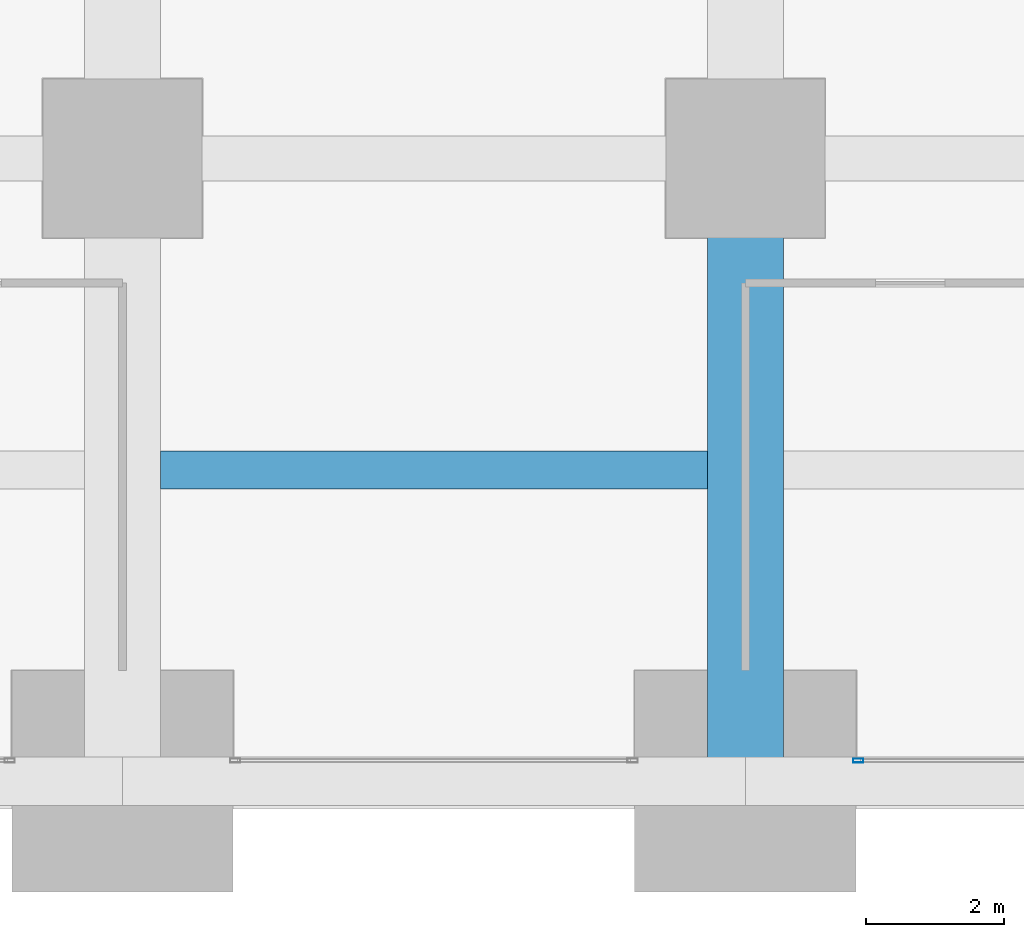
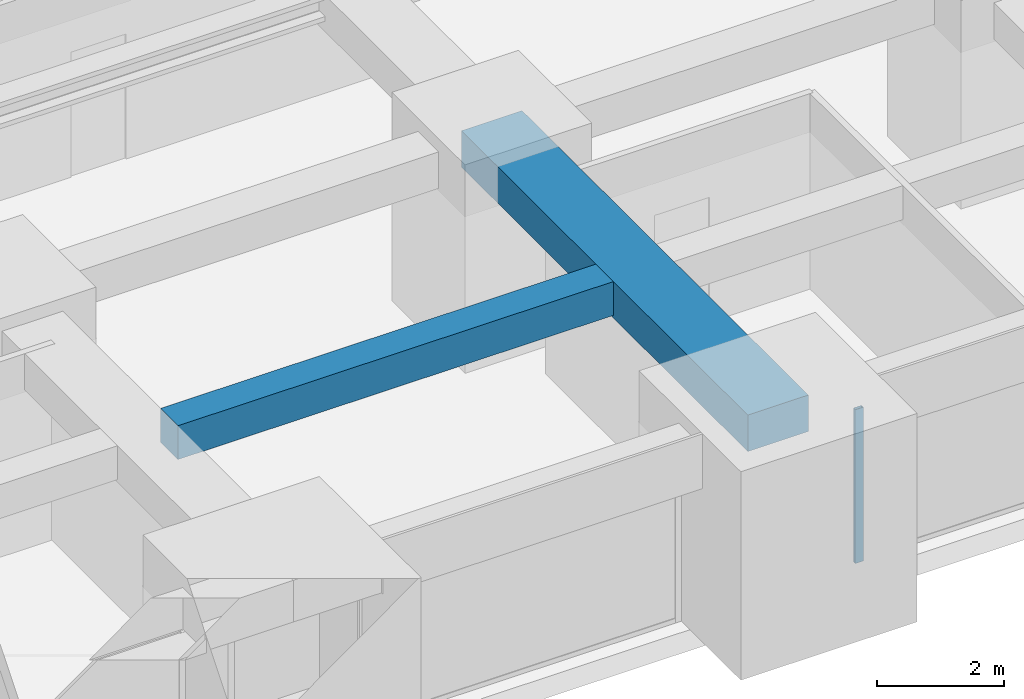
# One storey, part 14 of 50: 2 beams, 1 member, 1 element without a shape of its own.
"""IFC4 building model written with IfcOpenShell, lengths in metres."""

import ifcopenshell
import ifcopenshell.guid

model = None  # the IFC model being written
_history = None  # IfcOwnerHistory: only IFC2X3 demands one
_inside = {}  # id of a spatial element -> (the spatial element, [elements in it])
_under = {}  # id of a project, library or spatial element -> (it, [spatial elements below it])
_declared = {}  # id of a project -> (the project, [libraries it declares])
_typed = {}  # id of a type object -> (the type object, [elements of that type])
_made_of = {}  # id of a material, layer set ... -> (it, [elements and type objects made of it])


def new_model(schema):
    """Start an empty IFC model of exactly this schema.

    Asked for "IFC4X3", IfcOpenShell would pick the latest addendum, in which some entities
    have other attributes; the version numbers below select the first issue.
    IFC2X3 requires an IfcOwnerHistory on every rooted entity: one is made here for all.
    """
    global model, _history
    if schema == "IFC4X3":
        model = ifcopenshell.file(schema_version=(4, 3, 0, 0))
    else:
        model = ifcopenshell.file(schema=schema)
    _inside.clear()
    _under.clear()
    _declared.clear()
    _typed.clear()
    _made_of.clear()
    _history = None
    if model.schema == "IFC2X3":
        org = make("IfcOrganization", Name="unknown")
        user = make(
            "IfcPersonAndOrganization",
            ThePerson=make("IfcPerson", FamilyName="unknown"),
            TheOrganization=org,
        )
        app = make(
            "IfcApplication",
            ApplicationDeveloper=org,
            Version="unknown",
            ApplicationFullName="unknown",
            ApplicationIdentifier="unknown",
        )
        _history = make(
            "IfcOwnerHistory",
            OwningUser=user,
            OwningApplication=app,
            ChangeAction="ADDED",
            CreationDate=0,
        )
    return model


def make(cls, **values):
    """One entity of the class cls with the attributes given. An attribute that is None is left unset."""
    return model.create_entity(
        cls, **{name: value for name, value in values.items() if value is not None}
    )


def rooted(cls, **values):
    """An entity with a GlobalId (a new one), such as an element, a storey or a relation."""
    return make(cls, GlobalId=ifcopenshell.guid.new(), OwnerHistory=_history, **values)


def si_unit(unit_type, name, prefix=None):
    """IfcSIUnit, for example si_unit("LENGTHUNIT", "METRE", prefix="MILLI")."""
    return make("IfcSIUnit", UnitType=unit_type, Prefix=prefix, Name=name)


def assignment(units):
    """IfcUnitAssignment: the units of a project."""
    return None if units is None else make("IfcUnitAssignment", Units=units)


def point(xyz):
    """IfcCartesianPoint."""
    return None if xyz is None else make("IfcCartesianPoint", Coordinates=xyz)


def direction(xyz):
    """IfcDirection."""
    return None if xyz is None else make("IfcDirection", DirectionRatios=xyz)


def frame(location, z_axis=None, x_axis=None):
    """IfcAxis2Placement3D, a coordinate frame: its origin and axes. An axis left out is left unset."""
    return make(
        "IfcAxis2Placement3D",
        Location=point(location),
        Axis=direction(z_axis),
        RefDirection=direction(x_axis),
    )


def frame_2d(location, x_axis=None):
    """IfcAxis2Placement2D, a coordinate frame in the plane: its origin and x axis."""
    return make(
        "IfcAxis2Placement2D", Location=point(location), RefDirection=direction(x_axis)
    )


def origin():
    """The frame at (0, 0, 0) with its axes left unset."""
    return frame((0.0, 0.0, 0.0))


def origin_2d():
    """The frame at (0, 0) in the plane with its x axis left unset."""
    return frame_2d((0.0, 0.0))


def place(relative_to, where):
    """IfcLocalPlacement: puts the frame where relative to a parent placement (None: the world)."""
    return make(
        "IfcLocalPlacement", PlacementRelTo=relative_to, RelativePlacement=where
    )


def context(
    kind, dimensions, precision=None, world=None, true_north=None, identifier=None
):
    """IfcGeometricRepresentationContext, for example the 3D "Model" context."""
    return make(
        "IfcGeometricRepresentationContext",
        ContextIdentifier=identifier,
        ContextType=kind,
        CoordinateSpaceDimension=dimensions,
        Precision=precision,
        WorldCoordinateSystem=world,
        TrueNorth=true_north,
    )


def subcontext(parent, identifier, kind, view, scale=None):
    """IfcGeometricRepresentationSubContext, for example "Body" below "Model"."""
    return make(
        "IfcGeometricRepresentationSubContext",
        ContextIdentifier=identifier,
        ContextType=kind,
        ParentContext=parent,
        TargetScale=scale,
        TargetView=view,
    )


def project(units=None, contexts=None):
    """IfcProject with its units and contexts."""
    return rooted(
        "IfcProject",
        Name="project",
        RepresentationContexts=contexts,
        UnitsInContext=assignment(units),
    )


def spatial(cls, under=None, at=None, **own):
    """A site, building, storey or space (cls), placed at a placement, below another one or the project."""
    s = rooted(cls, ObjectPlacement=at, **own)
    if under is not None:
        _under.setdefault(under.id(), (under, []))[1].append(s)
    return s


def profile(cls, at=None, kind="AREA", **sizes):
    """A parametric profile (cls). Its sizes go by their IFC names, for example OverallWidth=200.0."""
    return make(cls, ProfileType=kind, Position=at, **sizes)


def rectangle(**sizes):
    """IfcRectangleProfileDef."""
    return profile("IfcRectangleProfileDef", **sizes)


def hollow_rectangle(**sizes):
    """IfcRectangleHollowProfileDef."""
    return profile("IfcRectangleHollowProfileDef", **sizes)


def extrude(swept, where, along, depth):
    """IfcExtrudedAreaSolid: the profile swept, set in the frame where, extruded along a direction by depth."""
    return make(
        "IfcExtrudedAreaSolid",
        SweptArea=swept,
        Position=where,
        ExtrudedDirection=direction(along),
        Depth=depth,
    )


def shape(context_of_items, identifier, shape_type, items):
    """IfcShapeRepresentation: the items that make up one representation, for example the "Body"."""
    return make(
        "IfcShapeRepresentation",
        ContextOfItems=context_of_items,
        RepresentationIdentifier=identifier,
        RepresentationType=shape_type,
        Items=items,
    )


def material(Name=None, Category=None):
    """IfcMaterial."""
    return make("IfcMaterial", Name=Name, Category=Category)


def material_profile(
    of_material, cross_section, Name=None, Category=None, Priority=None
):
    """IfcMaterialProfile: a cross section and its material."""
    return make(
        "IfcMaterialProfile",
        Name=Name,
        Material=of_material,
        Profile=cross_section,
        Priority=Priority,
        Category=Category,
    )


def profile_set(profiles, Name=None, composite=None):
    """IfcMaterialProfileSet."""
    return make(
        "IfcMaterialProfileSet",
        Name=Name,
        MaterialProfiles=profiles,
        CompositeProfile=composite,
    )


def made_of(thing, what):
    """Note that an element or type object is made of a material, layer set ...; save() writes the relation."""
    if what is not None:
        _made_of.setdefault(what.id(), (what, []))[1].append(thing)
    return thing


def type_object(cls, material=None, **own):
    """A type object (cls), such as IfcWallType, which elements share."""
    return made_of(rooted(cls, **own), material)


def element(
    cls,
    number,
    at=None,
    inside=None,
    cuts=None,
    type_object=None,
    material=None,
    context=None,
    identifier="Body",
    shape_type=None,
    held_by="IfcProductDefinitionShape",
    body=None,
    shapes=None,
    **own,
):
    """One element of the class cls, such as IfcWall. Its Tag is "e" and its number.

    at: its placement. inside: the storey or other place that contains it. cuts: it is an
    opening in that element (IfcRelVoidsElement). A single representation is given by context,
    identifier, shape_type and body (its items); several are given by shapes. held_by: the class
    of the entity that holds the representations. save() writes the other relations.
    """
    e = rooted(cls, Tag="e%d" % number, ObjectPlacement=at, **own)
    if body is not None:
        shapes = [shape(context, identifier, shape_type, body)]
    if shapes is not None:
        e.Representation = make(held_by, Representations=shapes)
    if inside is not None:
        _inside.setdefault(inside.id(), (inside, []))[1].append(e)
    if cuts is not None:
        rooted(
            "IfcRelVoidsElement", RelatingBuildingElement=cuts, RelatedOpeningElement=e
        )
    if type_object is not None:
        _typed.setdefault(type_object.id(), (type_object, []))[1].append(e)
    return made_of(e, material)


def aggregate(whole, parts):
    """IfcRelAggregates: a whole, such as a stair, and the parts it consists of."""
    return rooted("IfcRelAggregates", RelatingObject=whole, RelatedObjects=parts)


def save(model, path):
    """Write the relations noted so far, then the file.

    IfcRelAggregates (storeys below a building ...), IfcRelContainedInSpatialStructure (elements
    in a storey), IfcRelDefinesByType, IfcRelAssociatesMaterial and IfcRelDeclares: one each for
    every whole, place, type object, material and project.
    """
    for whole, parts in _under.values():
        aggregate(whole, parts)
    for where, things in _inside.values():
        rooted(
            "IfcRelContainedInSpatialStructure",
            RelatedElements=things,
            RelatingStructure=where,
        )
    for kind, things in _typed.values():
        rooted("IfcRelDefinesByType", RelatedObjects=things, RelatingType=kind)
    for what, things in _made_of.values():
        rooted("IfcRelAssociatesMaterial", RelatedObjects=things, RelatingMaterial=what)
    for by, libraries in _declared.values():
        rooted("IfcRelDeclares", RelatingContext=by, RelatedDefinitions=libraries)
    model.write(path)


model = new_model("IFC4")

# Units and contexts
model_context = context("Model", 3, precision=1e-05, world=origin(), true_north=direction((0.0, 1.0)))
body_context = subcontext(model_context, "Body", "Model", "MODEL_VIEW")
ifc_project = project(units=[si_unit("LENGTHUNIT", "METRE"), si_unit("AREAUNIT", "SQUARE_METRE"), si_unit("VOLUMEUNIT", "CUBIC_METRE"), si_unit("PLANEANGLEUNIT", "RADIAN"), si_unit("MASSUNIT", "GRAM", prefix="KILO")], contexts=[model_context])

# Site, building, storey
site_placement = place(None, origin())
site = spatial("IfcSite", under=ifc_project, at=site_placement, CompositionType="ELEMENT")
building_placement = place(site_placement, origin())
building = spatial("IfcBuilding", under=site, at=building_placement, Name="Zorevar Civic Tower", CompositionType="ELEMENT")
storey_placement = place(building_placement, frame((0.0, 0.0, 85.0)))
storey = spatial("IfcBuildingStorey", under=building, at=storey_placement, Name="L20", CompositionType="ELEMENT", Elevation=85.0)

# Beams
ifc_material_1 = material(Name="Concrete C50/60", Category="concrete")
ifc_material_profile_1 = material_profile(ifc_material_1, rectangle(XDim=1.10009765625, YDim=0.699951171875, at=origin_2d()), Name="RC 1100x700")
ifc_profile_set_1 = profile_set([ifc_material_profile_1], Name="Concrete C50/60")
beam_type_1 = type_object("IfcBeamType", Name="Beam RC 1100x700", PredefinedType="BEAM", material=ifc_profile_set_1)
beam_1_placement = place(storey_placement, frame((45.0, 0.0, 3.39990234375), z_axis=(0.0, 1.0, 0.0), x_axis=(-1.0, 0.0, 0.0)))
element("IfcBeam", 1, at=beam_1_placement, inside=storey, type_object=beam_type_1, Name="Girder L21", PredefinedType="BEAM", context=body_context, shape_type="SweptSolid", body=[
    extrude(rectangle(XDim=1.10009765625, YDim=0.699951171875, at=origin_2d()), origin(), (0.0, 0.0, 1.0), 9.0),
])
ifc_material_2 = material(Name="Concrete C50/60", Category="concrete")
ifc_material_profile_2 = material_profile(ifc_material_2, rectangle(XDim=0.550048828125, YDim=0.64990234375, at=origin_2d()), Name="RC 550x650")
ifc_profile_set_2 = profile_set([ifc_material_profile_2], Name="Concrete C50/60")
beam_type_2 = type_object("IfcBeamType", Name="Beam RC 550x650", PredefinedType="BEAM", material=ifc_profile_set_2)
beam_2_placement = place(storey_placement, frame((36.550048828125, 4.5, 3.425048828125), z_axis=(1.0, 0.0, 0.0), x_axis=(0.0, 1.0, 0.0)))
element("IfcBeam", 2, at=beam_2_placement, inside=storey, type_object=beam_type_2, Name="Secondary beam L21", PredefinedType="BEAM", context=body_context, shape_type="SweptSolid", body=[
    extrude(rectangle(XDim=0.550048828125, YDim=0.64990234375, at=origin_2d()), origin(), (0.0, 0.0, 1.0), 7.89990234375),
])

# Curtain wall, member
ifc_material_3 = material(Name="Dark grey solar-control glass in black aluminium frame", Category="aluminium")
curtain_wall_type = type_object("IfcCurtainWallType", Name="Curtain wall CW3 mid zone", PredefinedType="NOTDEFINED", material=ifc_material_3)
curtain_wall_placement = place(storey_placement, origin())
curtain_wall = element("IfcCurtainWall", 3, at=curtain_wall_placement, inside=storey, type_object=curtain_wall_type, Name="CW3 L20", PredefinedType="NOTDEFINED")
ifc_material_4 = material(Name="Aluminium, black anodised", Category="aluminium")
ifc_material_profile_3 = material_profile(ifc_material_4, hollow_rectangle(XDim=0.06005859375, YDim=0.14990234375, WallThickness=0.00390625, at=origin_2d()), Name="AL 150x60x4")
ifc_profile_set_3 = profile_set([ifc_material_profile_3], Name="Aluminium, black anodised")
member_type = type_object("IfcMemberType", Name="CW3 mullion AL 150x60x4", PredefinedType="MULLION", material=ifc_profile_set_3)
member_placement = place(storey_placement, frame((46.6298828125, 0.300048828125, 0.0), z_axis=(0.0, 0.0, 1.0), x_axis=(0.0, 1.0, 0.0)))
member = element("IfcMember", 4, at=member_placement, type_object=member_type, Name="CW3 mullion 1", PredefinedType="MULLION", context=body_context, shape_type="SweptSolid", body=[
    extrude(hollow_rectangle(XDim=0.06005859375, YDim=0.14990234375, WallThickness=0.00390625, at=origin_2d()), origin(), (0.0, 0.0, 1.0), 2.949951171875),
])
aggregate(curtain_wall, [member])

save(model, "model.ifc")
